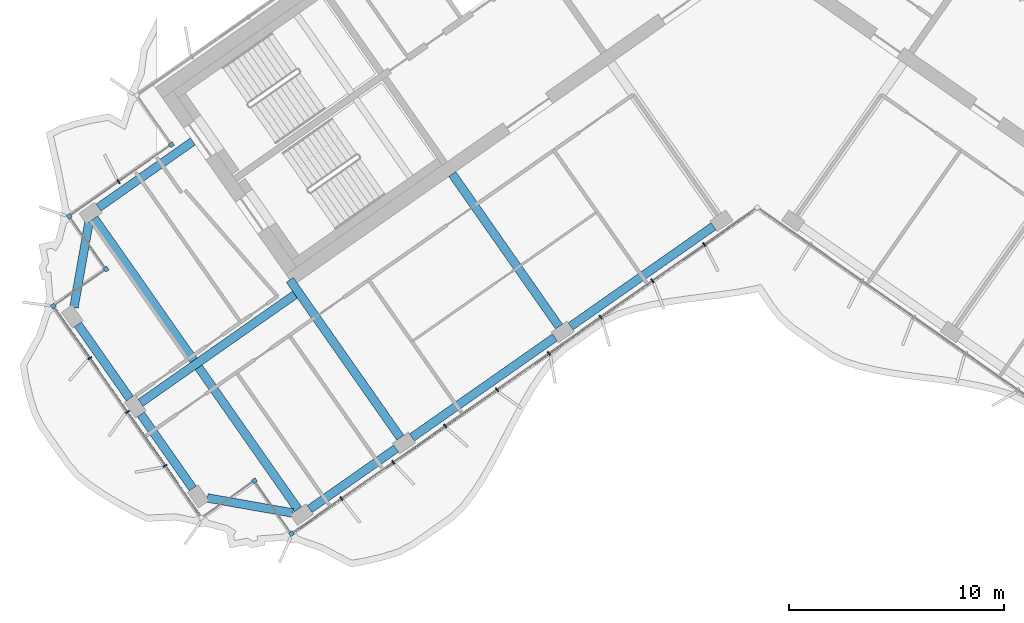
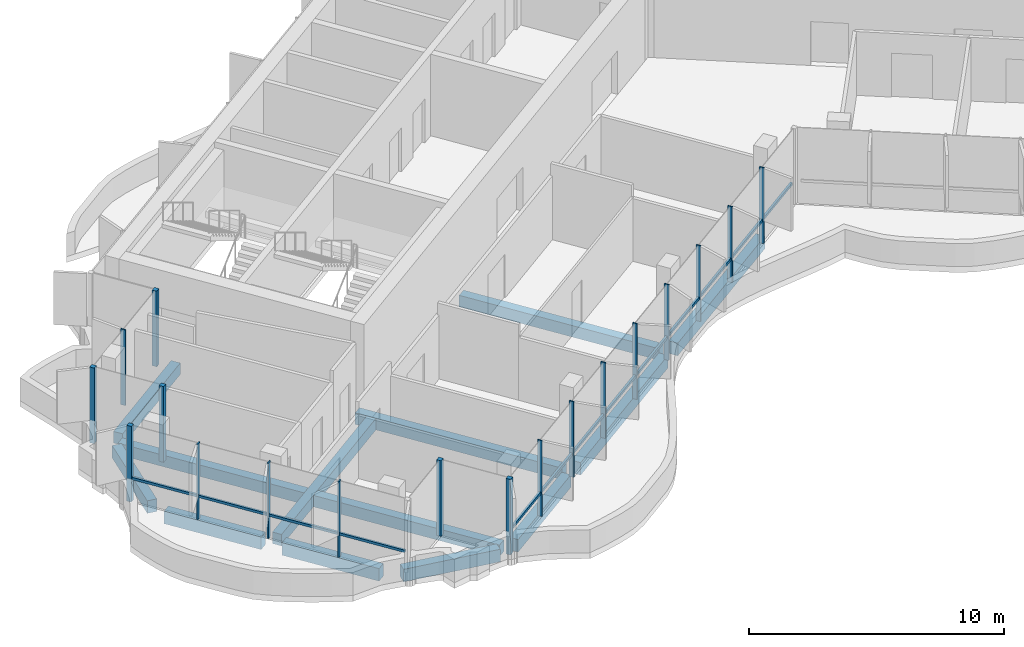
# One storey, part 2 of 18: 20 members, 12 beams, 2 elements without a shape of their own.
"""IFC4 building model written with IfcOpenShell, lengths in metres."""

from ifc_helpers import new_model, si_unit, direction, frame, origin, origin_2d, place, context, subcontext, project, spatial, rectangle, extrude, material, material_profile, profile_set, type_object, element, aggregate, save


model = new_model("IFC4")

# Units and contexts
model_context = context("Model", 3, precision=1e-05, world=origin(), true_north=direction((0.0, 1.0)))
body_context = subcontext(model_context, "Body", "Model", "MODEL_VIEW")
ifc_project = project(units=[si_unit("LENGTHUNIT", "METRE"), si_unit("AREAUNIT", "SQUARE_METRE"), si_unit("VOLUMEUNIT", "CUBIC_METRE"), si_unit("PLANEANGLEUNIT", "RADIAN"), si_unit("MASSUNIT", "GRAM", prefix="KILO")], contexts=[model_context])

# Site, building, storey
site_placement = place(None, origin())
site = spatial("IfcSite", under=ifc_project, at=site_placement, CompositionType="ELEMENT")
building_placement = place(site_placement, origin())
building = spatial("IfcBuilding", under=site, at=building_placement, Name="Tel Ilan Convention Tower", CompositionType="ELEMENT")
storey_placement = place(building_placement, frame((0.0, 0.0, 264.39990234375)))
storey = spatial("IfcBuildingStorey", under=building, at=storey_placement, Name="L62", CompositionType="ELEMENT", Elevation=264.39990234375)

# Beams
ifc_material_1 = material(Name="Concrete C40/50", Category="concrete")
ifc_material_profile_1 = material_profile(ifc_material_1, rectangle(XDim=0.39990234375, YDim=0.550048828125, at=origin_2d()), Name="RC 400x550")
ifc_profile_set_1 = profile_set([ifc_material_profile_1], Name="Concrete C40/50")
beam_type_1 = type_object("IfcBeamType", Name="Beam RC 400x550 Concrete C40/50", PredefinedType="BEAM", material=ifc_profile_set_1)
beam_1_placement = place(storey_placement, frame((-30.6005859375, -12.6982421875, -0.554931640625), z_axis=(0.819146154531, 0.573584847705, 0.0), x_axis=(-0.573584847705, 0.819146154531, 0.0)))
element("IfcBeam", 1, at=beam_1_placement, inside=storey, type_object=beam_type_1, Name="L62 beam W-W-BC-core", PredefinedType="BEAM", context=body_context, shape_type="SweptSolid", body=[
    extrude(rectangle(XDim=0.39990234375, YDim=0.550048828125, at=origin_2d()), origin(), (0.0, 0.0, 1.0), 5.349853515625),
])
beam_2_placement = place(storey_placement, frame((-9.209716796875, -18.229248046875, -0.554931640625), z_axis=(-0.573574099654, 0.819153680457, 0.0), x_axis=(-0.819153680457, -0.573574099654, 0.0)))
element("IfcBeam", 2, at=beam_2_placement, inside=storey, type_object=beam_type_1, Name="L62 beam W-W-F2-core", PredefinedType="BEAM", context=body_context, shape_type="SweptSolid", body=[
    extrude(rectangle(XDim=0.39990234375, YDim=0.550048828125, at=origin_2d()), origin(), (0.0, 0.0, 1.0), 8.64990234375),
])
beam_3_placement = place(storey_placement, frame((-16.58203125, -23.391357421875, -0.554931640625), z_axis=(-0.573584999642, 0.819146048141, 0.0), x_axis=(-0.819146048141, -0.573584999642, 0.0)))
element("IfcBeam", 3, at=beam_3_placement, inside=storey, type_object=beam_type_1, Name="L62 beam W-W-F3-core", PredefinedType="BEAM", context=body_context, shape_type="SweptSolid", body=[
    extrude(rectangle(XDim=0.39990234375, YDim=0.550048828125, at=origin_2d()), origin(), (0.0, 0.0, 1.0), 8.949951171875),
])
beam_4_placement = place(storey_placement, frame((-21.477783203125, -16.748046875, -0.554931640625), z_axis=(-0.819157197737, -0.573569076395, 0.0), x_axis=(0.573569076395, -0.819157197737, 0.0)))
element("IfcBeam", 4, at=beam_4_placement, inside=storey, type_object=beam_type_1, Name="L62 beam W-core-end", PredefinedType="BEAM", context=body_context, shape_type="SweptSolid", body=[
    extrude(rectangle(XDim=0.39990234375, YDim=0.550048828125, at=origin_2d()), origin(), (0.0, 0.0, 1.0), 8.75),
])
beam_5_placement = place(storey_placement, frame((-21.333251953125, -26.718017578125, -0.554931640625), z_axis=(-0.573574554643, 0.819153361872, 0.0), x_axis=(-0.819153361872, -0.573574554643, 0.0)))
element("IfcBeam", 5, at=beam_5_placement, inside=storey, type_object=beam_type_1, Name="L62 beam W-W-FC-W-BC", PredefinedType="BEAM", context=body_context, shape_type="SweptSolid", body=[
    extrude(rectangle(XDim=0.39990234375, YDim=0.550048828125, at=origin_2d()), origin(), (0.0, 0.0, 1.0), 16.499755859375),
])
ifc_material_2 = material(Name="Concrete C40/50", Category="concrete")
ifc_material_profile_2 = material_profile(ifc_material_2, rectangle(XDim=0.39990234375, YDim=0.60009765625, at=origin_2d()), Name="RC 400x600")
ifc_profile_set_2 = profile_set([ifc_material_profile_2], Name="Concrete C40/50")
beam_type_2 = type_object("IfcBeamType", Name="Beam RC 400x600 Concrete C40/50", PredefinedType="BEAM", material=ifc_profile_set_2)
beam_6_placement = place(storey_placement, frame((-2.033935546875, -13.57080078125, -0.579833984375), z_axis=(-0.81914553362, -0.573585734437, 0.0), x_axis=(0.573585734437, -0.81914553362, 0.0)))
element("IfcBeam", 6, at=beam_6_placement, inside=storey, type_object=beam_type_2, Name="L62 beam W-W-F1-W-F2", PredefinedType="BEAM", context=body_context, shape_type="SweptSolid", body=[
    extrude(rectangle(XDim=0.39990234375, YDim=0.60009765625, at=origin_2d()), origin(), (0.0, 0.0, 1.0), 8.099853515625),
])
beam_7_placement = place(storey_placement, frame((-9.40625, -18.73291015625, -0.579833984375), z_axis=(-0.819155449703, -0.573571572885, 0.0), x_axis=(0.573571572885, -0.819155449703, 0.0)))
element("IfcBeam", 7, at=beam_7_placement, inside=storey, type_object=beam_type_2, Name="L62 beam W-W-F2-W-F3", PredefinedType="BEAM", context=body_context, shape_type="SweptSolid", body=[
    extrude(rectangle(XDim=0.39990234375, YDim=0.60009765625, at=origin_2d()), origin(), (0.0, 0.0, 1.0), 8.10009765625),
])
beam_8_placement = place(storey_placement, frame((-16.778564453125, -23.895263671875, -0.579833984375), z_axis=(-0.819154669329, -0.573572687386, 0.0), x_axis=(0.573572687386, -0.819154669329, 0.0)))
element("IfcBeam", 8, at=beam_8_placement, inside=storey, type_object=beam_type_2, Name="L62 beam W-W-F3-W-FC", PredefinedType="BEAM", context=body_context, shape_type="SweptSolid", body=[
    extrude(rectangle(XDim=0.39990234375, YDim=0.60009765625, at=origin_2d()), origin(), (0.0, 0.0, 1.0), 4.900146484375),
])
beam_9_placement = place(storey_placement, frame((-21.578857421875, -26.89013671875, -0.579833984375), z_axis=(-0.984804894423, 0.173664388751, 0.0), x_axis=(-0.173664388751, -0.984804894423, 0.0)))
element("IfcBeam", 9, at=beam_9_placement, inside=storey, type_object=beam_type_2, Name="L62 beam W-W-FC-W-E1", PredefinedType="BEAM", context=body_context, shape_type="SweptSolid", body=[
    extrude(rectangle(XDim=0.39990234375, YDim=0.60009765625, at=origin_2d()), origin(), (0.0, 0.0, 1.0), 4.030517578125),
])
for number, where, z_axis, x_axis, name in (
    (10, (-26.22412109375, -25.748046875, -0.579833984375), (-0.573563773994, 0.819160910421, 0.0), (-0.819160910421, -0.573563773994, 0.0), "L62 beam W-W-E1-W-E2"),
    (11, (-29.1494140625, -21.5703125, -0.579833984375), (-0.573563773994, 0.819160910421, 0.0), (-0.819160910421, -0.573563773994, 0.0), "L62 beam W-W-E2-W-E3"),
):
    element("IfcBeam", number, at=place(storey_placement, frame(where, z_axis=z_axis, x_axis=x_axis)), inside=storey, type_object=beam_type_2, Name=name, PredefinedType="BEAM", context=body_context, shape_type="SweptSolid", body=[
        extrude(rectangle(XDim=0.39990234375, YDim=0.60009765625, at=origin_2d()), origin(), (0.0, 0.0, 1.0), 4.199951171875),
    ])
beam_10_placement = place(storey_placement, frame((-31.742919921875, -17.343505859375, -0.579833984375), z_axis=(0.173664388751, 0.984804894423, 0.0), x_axis=(-0.984804894423, 0.173664388751, 0.0)))
element("IfcBeam", 12, at=beam_10_placement, inside=storey, type_object=beam_type_2, Name="L62 beam W-W-E3-W-BC", PredefinedType="BEAM", context=body_context, shape_type="SweptSolid", body=[
    extrude(rectangle(XDim=0.39990234375, YDim=0.60009765625, at=origin_2d()), origin(), (0.0, 0.0, 1.0), 4.030517578125),
])

# Curtain wall, member
ifc_material_3 = material(Name="Aluminium, bronze anodised", Category="aluminium")
curtain_wall_type_1 = type_object("IfcCurtainWallType", Name="CW2 STICK CURTAIN WALL, SPANDREL PANELS", PredefinedType="NOTDEFINED", material=ifc_material_3)
curtain_wall_1_placement = place(storey_placement, origin())
curtain_wall_1 = element("IfcCurtainWall", 13, at=curtain_wall_1_placement, inside=storey, type_object=curtain_wall_type_1, Name="Curtain wall CW2-47.01", PredefinedType="NOTDEFINED")
ifc_material_4 = material(Name="Aluminium, bronze anodised", Category="aluminium")
ifc_material_profile_3 = material_profile(ifc_material_4, rectangle(XDim=0.199951171875, YDim=0.199951171875, at=origin_2d()), Name="CW CORNER MULLION 200x200")
ifc_profile_set_3 = profile_set([ifc_material_profile_3], Name="Aluminium, bronze anodised")
member_type_1 = type_object("IfcMemberType", Name="CW CORNER MULLION 200x200", PredefinedType="MULLION", material=ifc_profile_set_3)
member_1_placement = place(storey_placement, frame((-27.213623046875, -9.77734375, 0.0), z_axis=(0.0, 0.0, 1.0), x_axis=(0.573576436351, -0.819152044289, 0.0)))
member_1 = element("IfcMember", 14, at=member_1_placement, type_object=member_type_1, Name="Corner mullion", PredefinedType="MULLION", context=body_context, shape_type="SweptSolid", body=[
    extrude(rectangle(XDim=0.199951171875, YDim=0.199951171875, at=origin_2d()), origin(), (0.0, 0.0, 1.0), 3.6201171875),
])
aggregate(curtain_wall_1, [member_1])

# Curtain wall, members
ifc_material_5 = material(Name="Aluminium, bronze anodised", Category="aluminium")
curtain_wall_type_2 = type_object("IfcCurtainWallType", Name="CW5 STICK CURTAIN WALL, UPPER OFFICE LOW-IRON TINTED GLASS", PredefinedType="NOTDEFINED", material=ifc_material_5)
curtain_wall_2_placement = place(storey_placement, origin())
curtain_wall_2 = element("IfcCurtainWall", 15, at=curtain_wall_2_placement, inside=storey, type_object=curtain_wall_type_2, Name="Curtain wall CW5-47.02", PredefinedType="NOTDEFINED")
member_2_placement = place(storey_placement, frame((-31.964599609375, -13.10400390625, 0.0), z_axis=(0.0, 0.0, 1.0), x_axis=(-0.819152044289, -0.573576436351, 0.0)))
member_2 = element("IfcMember", 16, at=member_2_placement, type_object=member_type_1, Name="Corner mullion", PredefinedType="MULLION", context=body_context, shape_type="SweptSolid", body=[
    extrude(rectangle(XDim=0.199951171875, YDim=0.199951171875, at=origin_2d()), origin(), (0.0, 0.0, 1.0), 3.6201171875),
])
member_3_placement = place(storey_placement, frame((-30.243896484375, -15.5615234375, 0.0), z_axis=(0.0, 0.0, 1.0), x_axis=(0.573576436351, -0.819152044289, 0.0)))
member_3 = element("IfcMember", 17, at=member_3_placement, type_object=member_type_1, Name="Corner mullion", PredefinedType="MULLION", context=body_context, shape_type="SweptSolid", body=[
    extrude(rectangle(XDim=0.199951171875, YDim=0.199951171875, at=origin_2d()), origin(), (0.0, 0.0, 1.0), 3.6201171875),
])
member_4_placement = place(storey_placement, frame((-32.701416015625, -17.2822265625, 0.0), z_axis=(0.0, 0.0, 1.0), x_axis=(-0.819152044289, -0.573576436351, 0.0)))
member_4 = element("IfcMember", 18, at=member_4_placement, type_object=member_type_1, Name="Corner mullion", PredefinedType="MULLION", context=body_context, shape_type="SweptSolid", body=[
    extrude(rectangle(XDim=0.199951171875, YDim=0.199951171875, at=origin_2d()), origin(), (0.0, 0.0, 1.0), 3.6201171875),
])
member_5_placement = place(storey_placement, frame((-23.36083984375, -25.391357421875, 0.0), z_axis=(0.0, 0.0, 1.0), x_axis=(0.819152044289, 0.573576436351, 0.0)))
member_5 = element("IfcMember", 19, at=member_5_placement, type_object=member_type_1, Name="Corner mullion", PredefinedType="MULLION", context=body_context, shape_type="SweptSolid", body=[
    extrude(rectangle(XDim=0.199951171875, YDim=0.199951171875, at=origin_2d()), origin(), (0.0, 0.0, 1.0), 3.6201171875),
])
member_6_placement = place(storey_placement, frame((-21.64013671875, -27.8486328125, 0.0), z_axis=(0.0, 0.0, 1.0), x_axis=(0.573576436351, -0.819152044289, 0.0)))
member_6 = element("IfcMember", 20, at=member_6_placement, type_object=member_type_1, Name="Corner mullion", PredefinedType="MULLION", context=body_context, shape_type="SweptSolid", body=[
    extrude(rectangle(XDim=0.199951171875, YDim=0.199951171875, at=origin_2d()), origin(), (0.0, 0.0, 1.0), 3.6201171875),
])
ifc_material_6 = material(Name="Aluminium, bronze anodised", Category="aluminium")
ifc_material_profile_4 = material_profile(ifc_material_6, rectangle(XDim=0.06005859375, YDim=0.199951171875, at=origin_2d()), Name="CW MULLION 60x200")
ifc_profile_set_4 = profile_set([ifc_material_profile_4], Name="Aluminium, bronze anodised")
member_type_2 = type_object("IfcMemberType", Name="CW MULLION 60x200", PredefinedType="MULLION", material=ifc_profile_set_4)
member_7_placement = place(storey_placement, frame((-29.6708984375, -11.498046875, 0.0), z_axis=(0.0, 0.0, 1.0), x_axis=(-0.819152044289, -0.573576436351, 0.0)))
member_7 = element("IfcMember", 21, at=member_7_placement, type_object=member_type_2, Name="Mullion", PredefinedType="MULLION", context=body_context, shape_type="SweptSolid", body=[
    extrude(rectangle(XDim=0.06005859375, YDim=0.199951171875, at=origin_2d()), origin(), (0.0, 0.0, 1.0), 3.6201171875),
])
member_8_placement = place(storey_placement, frame((-31.00927734375, -19.69873046875, 0.0), z_axis=(0.0, 0.0, 1.0), x_axis=(0.573576436351, -0.819152044289, 0.0)))
member_8 = element("IfcMember", 22, at=member_8_placement, type_object=member_type_2, Name="Mullion", PredefinedType="MULLION", context=body_context, shape_type="SweptSolid", body=[
    extrude(rectangle(XDim=0.06005859375, YDim=0.199951171875, at=origin_2d()), origin(), (0.0, 0.0, 1.0), 3.6201171875),
])
member_9_placement = place(storey_placement, frame((-29.259765625, -22.197021484375, 0.0), z_axis=(0.0, 0.0, 1.0), x_axis=(0.573576436351, -0.819152044289, 0.0)))
member_9 = element("IfcMember", 23, at=member_9_placement, type_object=member_type_2, Name="Mullion", PredefinedType="MULLION", context=body_context, shape_type="SweptSolid", body=[
    extrude(rectangle(XDim=0.06005859375, YDim=0.199951171875, at=origin_2d()), origin(), (0.0, 0.0, 1.0), 3.6201171875),
])
member_10_placement = place(storey_placement, frame((-27.510498046875, -24.695556640625, 0.0), z_axis=(0.0, 0.0, 1.0), x_axis=(0.573576436351, -0.819152044289, 0.0)))
member_10 = element("IfcMember", 24, at=member_10_placement, type_object=member_type_2, Name="Mullion", PredefinedType="MULLION", context=body_context, shape_type="SweptSolid", body=[
    extrude(rectangle(XDim=0.06005859375, YDim=0.199951171875, at=origin_2d()), origin(), (0.0, 0.0, 1.0), 3.6201171875),
])
member_11_placement = place(storey_placement, frame((-19.31494140625, -26.220458984375, 0.0), z_axis=(0.0, 0.0, 1.0), x_axis=(0.819152044289, 0.573576436351, 0.0)))
member_11 = element("IfcMember", 25, at=member_11_placement, type_object=member_type_2, Name="Mullion", PredefinedType="MULLION", context=body_context, shape_type="SweptSolid", body=[
    extrude(rectangle(XDim=0.06005859375, YDim=0.199951171875, at=origin_2d()), origin(), (0.0, 0.0, 1.0), 3.6201171875),
])
member_12_placement = place(storey_placement, frame((-16.90771484375, -24.534912109375, 0.0), z_axis=(0.0, 0.0, 1.0), x_axis=(0.819152044289, 0.573576436351, 0.0)))
member_12 = element("IfcMember", 26, at=member_12_placement, type_object=member_type_2, Name="Mullion", PredefinedType="MULLION", context=body_context, shape_type="SweptSolid", body=[
    extrude(rectangle(XDim=0.06005859375, YDim=0.199951171875, at=origin_2d()), origin(), (0.0, 0.0, 1.0), 3.6201171875),
])
member_13_placement = place(storey_placement, frame((-14.50048828125, -22.849365234375, 0.0), z_axis=(0.0, 0.0, 1.0), x_axis=(0.819152044289, 0.573576436351, 0.0)))
member_13 = element("IfcMember", 27, at=member_13_placement, type_object=member_type_2, Name="Mullion", PredefinedType="MULLION", context=body_context, shape_type="SweptSolid", body=[
    extrude(rectangle(XDim=0.06005859375, YDim=0.199951171875, at=origin_2d()), origin(), (0.0, 0.0, 1.0), 3.6201171875),
])
member_14_placement = place(storey_placement, frame((-12.09326171875, -21.163818359375, 0.0), z_axis=(0.0, 0.0, 1.0), x_axis=(0.819152044289, 0.573576436351, 0.0)))
member_14 = element("IfcMember", 28, at=member_14_placement, type_object=member_type_2, Name="Mullion", PredefinedType="MULLION", context=body_context, shape_type="SweptSolid", body=[
    extrude(rectangle(XDim=0.06005859375, YDim=0.199951171875, at=origin_2d()), origin(), (0.0, 0.0, 1.0), 3.6201171875),
])
member_15_placement = place(storey_placement, frame((-9.68603515625, -19.478271484375, 0.0), z_axis=(0.0, 0.0, 1.0), x_axis=(0.819152044289, 0.573576436351, 0.0)))
member_15 = element("IfcMember", 29, at=member_15_placement, type_object=member_type_2, Name="Mullion", PredefinedType="MULLION", context=body_context, shape_type="SweptSolid", body=[
    extrude(rectangle(XDim=0.06005859375, YDim=0.199951171875, at=origin_2d()), origin(), (0.0, 0.0, 1.0), 3.6201171875),
])
member_16_placement = place(storey_placement, frame((-7.279052734375, -17.792724609375, 0.0), z_axis=(0.0, 0.0, 1.0), x_axis=(0.819152044289, 0.573576436351, 0.0)))
member_16 = element("IfcMember", 30, at=member_16_placement, type_object=member_type_2, Name="Mullion", PredefinedType="MULLION", context=body_context, shape_type="SweptSolid", body=[
    extrude(rectangle(XDim=0.06005859375, YDim=0.199951171875, at=origin_2d()), origin(), (0.0, 0.0, 1.0), 3.6201171875),
])
member_17_placement = place(storey_placement, frame((-4.871826171875, -16.107177734375, 0.0), z_axis=(0.0, 0.0, 1.0), x_axis=(0.819152044289, 0.573576436351, 0.0)))
member_17 = element("IfcMember", 31, at=member_17_placement, type_object=member_type_2, Name="Mullion", PredefinedType="MULLION", context=body_context, shape_type="SweptSolid", body=[
    extrude(rectangle(XDim=0.06005859375, YDim=0.199951171875, at=origin_2d()), origin(), (0.0, 0.0, 1.0), 3.6201171875),
])
member_18_placement = place(storey_placement, frame((-2.464599609375, -14.421875, 0.0), z_axis=(0.0, 0.0, 1.0), x_axis=(0.819152044289, 0.573576436351, 0.0)))
member_18 = element("IfcMember", 32, at=member_18_placement, type_object=member_type_2, Name="Mullion", PredefinedType="MULLION", context=body_context, shape_type="SweptSolid", body=[
    extrude(rectangle(XDim=0.06005859375, YDim=0.199951171875, at=origin_2d()), origin(), (0.0, 0.0, 1.0), 3.6201171875),
])
ifc_material_7 = material(Name="Aluminium, bronze anodised", Category="aluminium")
ifc_material_profile_5 = material_profile(ifc_material_7, rectangle(XDim=0.10009765625, YDim=0.1201171875, at=origin_2d()), Name="CW TRANSOM 100x120")
ifc_profile_set_5 = profile_set([ifc_material_profile_5], Name="Aluminium, bronze anodised")
member_type_3 = type_object("IfcMemberType", Name="CW TRANSOM 100x120", PredefinedType="USERDEFINED", material=ifc_profile_set_5)
member_19_placement = place(storey_placement, frame((-32.64404296875, -17.364013671875, 1.10009765625), z_axis=(0.573581755582, -0.819148319698, 0.0), x_axis=(0.819148319698, 0.573581755582, 0.0)))
member_19 = element("IfcMember", 33, at=member_19_placement, type_object=member_type_3, Name="Transom", ObjectType="TRANSOM", PredefinedType="USERDEFINED", context=body_context, shape_type="SweptSolid", body=[
    extrude(rectangle(XDim=0.10009765625, YDim=0.1201171875, at=origin_2d()), origin(), (0.0, 0.0, 1.0), 11.800048828125),
])
member_20_placement = place(storey_placement, frame((-21.558349609375, -27.791259765625, 1.10009765625), z_axis=(0.819152212587, 0.573576195996, 0.0), x_axis=(-0.573576195996, 0.819152212587, 0.0)))
member_20 = element("IfcMember", 34, at=member_20_placement, type_object=member_type_3, Name="Transom", ObjectType="TRANSOM", PredefinedType="USERDEFINED", context=body_context, shape_type="SweptSolid", body=[
    extrude(rectangle(XDim=0.10009765625, YDim=0.1201171875, at=origin_2d()), origin(), (0.0, 0.0, 1.0), 26.0478515625),
])
aggregate(curtain_wall_2, [member_7, member_2, member_3, member_4, member_8, member_9, member_10, member_19, member_5, member_6, member_11, member_12, member_13, member_14, member_15, member_16, member_17, member_18, member_20])

save(model, "model.ifc")
